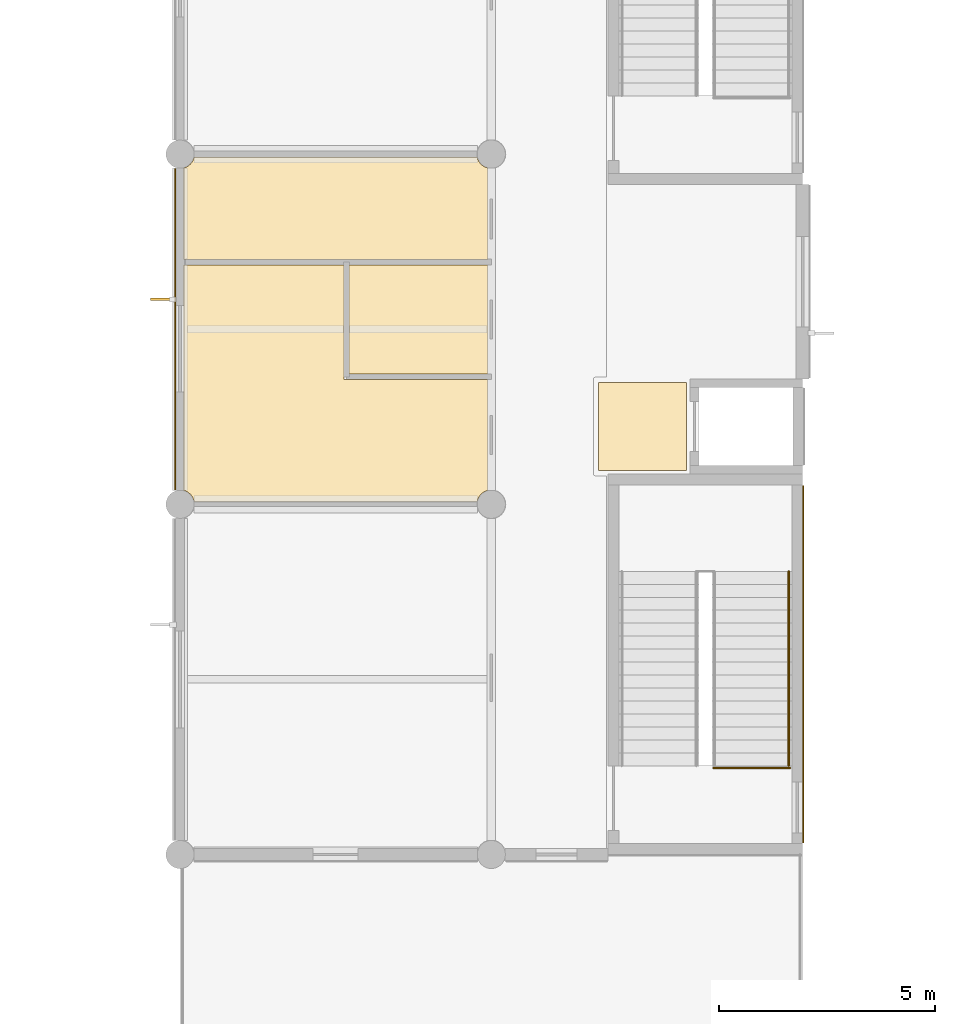
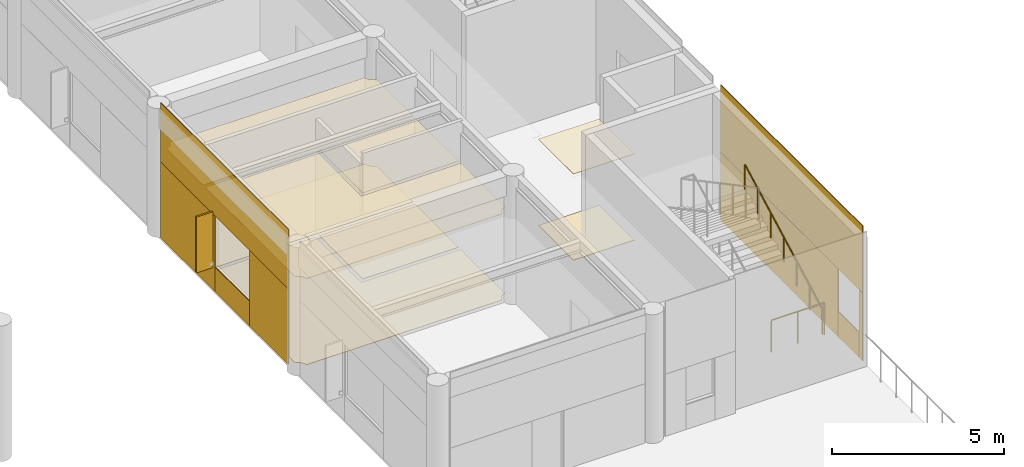
# One storey, part 89 of 92: 16 coverings, 2 railings, 1 shading device.
"""IFC4 building model written with IfcOpenShell, lengths in metres."""

import ifcopenshell
import ifcopenshell.guid

model = None  # the IFC model being written
_history = None  # IfcOwnerHistory: only IFC2X3 demands one
_inside = {}  # id of a spatial element -> (the spatial element, [elements in it])
_under = {}  # id of a project, library or spatial element -> (it, [spatial elements below it])
_declared = {}  # id of a project -> (the project, [libraries it declares])
_typed = {}  # id of a type object -> (the type object, [elements of that type])
_made_of = {}  # id of a material, layer set ... -> (it, [elements and type objects made of it])


def new_model(schema):
    """Start an empty IFC model of exactly this schema.

    Asked for "IFC4X3", IfcOpenShell would pick the latest addendum, in which some entities
    have other attributes; the version numbers below select the first issue.
    IFC2X3 requires an IfcOwnerHistory on every rooted entity: one is made here for all.
    """
    global model, _history
    if schema == "IFC4X3":
        model = ifcopenshell.file(schema_version=(4, 3, 0, 0))
    else:
        model = ifcopenshell.file(schema=schema)
    _inside.clear()
    _under.clear()
    _declared.clear()
    _typed.clear()
    _made_of.clear()
    _history = None
    if model.schema == "IFC2X3":
        org = make("IfcOrganization", Name="unknown")
        user = make(
            "IfcPersonAndOrganization",
            ThePerson=make("IfcPerson", FamilyName="unknown"),
            TheOrganization=org,
        )
        app = make(
            "IfcApplication",
            ApplicationDeveloper=org,
            Version="unknown",
            ApplicationFullName="unknown",
            ApplicationIdentifier="unknown",
        )
        _history = make(
            "IfcOwnerHistory",
            OwningUser=user,
            OwningApplication=app,
            ChangeAction="ADDED",
            CreationDate=0,
        )
    return model


def make(cls, **values):
    """One entity of the class cls with the attributes given. An attribute that is None is left unset."""
    return model.create_entity(
        cls, **{name: value for name, value in values.items() if value is not None}
    )


def rooted(cls, **values):
    """An entity with a GlobalId (a new one), such as an element, a storey or a relation."""
    return make(cls, GlobalId=ifcopenshell.guid.new(), OwnerHistory=_history, **values)


def si_unit(unit_type, name, prefix=None):
    """IfcSIUnit, for example si_unit("LENGTHUNIT", "METRE", prefix="MILLI")."""
    return make("IfcSIUnit", UnitType=unit_type, Prefix=prefix, Name=name)


def assignment(units):
    """IfcUnitAssignment: the units of a project."""
    return None if units is None else make("IfcUnitAssignment", Units=units)


def point(xyz):
    """IfcCartesianPoint."""
    return None if xyz is None else make("IfcCartesianPoint", Coordinates=xyz)


def direction(xyz):
    """IfcDirection."""
    return None if xyz is None else make("IfcDirection", DirectionRatios=xyz)


def frame(location, z_axis=None, x_axis=None):
    """IfcAxis2Placement3D, a coordinate frame: its origin and axes. An axis left out is left unset."""
    return make(
        "IfcAxis2Placement3D",
        Location=point(location),
        Axis=direction(z_axis),
        RefDirection=direction(x_axis),
    )


def frame_2d(location, x_axis=None):
    """IfcAxis2Placement2D, a coordinate frame in the plane: its origin and x axis."""
    return make(
        "IfcAxis2Placement2D", Location=point(location), RefDirection=direction(x_axis)
    )


def origin():
    """The frame at (0, 0, 0) with its axes left unset."""
    return frame((0.0, 0.0, 0.0))


def origin_2d():
    """The frame at (0, 0) in the plane with its x axis left unset."""
    return frame_2d((0.0, 0.0))


def place(relative_to, where):
    """IfcLocalPlacement: puts the frame where relative to a parent placement (None: the world)."""
    return make(
        "IfcLocalPlacement", PlacementRelTo=relative_to, RelativePlacement=where
    )


def context(
    kind, dimensions, precision=None, world=None, true_north=None, identifier=None
):
    """IfcGeometricRepresentationContext, for example the 3D "Model" context."""
    return make(
        "IfcGeometricRepresentationContext",
        ContextIdentifier=identifier,
        ContextType=kind,
        CoordinateSpaceDimension=dimensions,
        Precision=precision,
        WorldCoordinateSystem=world,
        TrueNorth=true_north,
    )


def subcontext(parent, identifier, kind, view, scale=None):
    """IfcGeometricRepresentationSubContext, for example "Body" below "Model"."""
    return make(
        "IfcGeometricRepresentationSubContext",
        ContextIdentifier=identifier,
        ContextType=kind,
        ParentContext=parent,
        TargetScale=scale,
        TargetView=view,
    )


def project(units=None, contexts=None):
    """IfcProject with its units and contexts."""
    return rooted(
        "IfcProject",
        Name="project",
        RepresentationContexts=contexts,
        UnitsInContext=assignment(units),
    )


def spatial(cls, under=None, at=None, **own):
    """A site, building, storey or space (cls), placed at a placement, below another one or the project."""
    s = rooted(cls, ObjectPlacement=at, **own)
    if under is not None:
        _under.setdefault(under.id(), (under, []))[1].append(s)
    return s


def polyline(points):
    """IfcPolyline through the points."""
    return make("IfcPolyline", Points=[point(p) for p in points])


def profile(cls, at=None, kind="AREA", **sizes):
    """A parametric profile (cls). Its sizes go by their IFC names, for example OverallWidth=200.0."""
    return make(cls, ProfileType=kind, Position=at, **sizes)


def rectangle(**sizes):
    """IfcRectangleProfileDef."""
    return profile("IfcRectangleProfileDef", **sizes)


def circle(**sizes):
    """IfcCircleProfileDef."""
    return profile("IfcCircleProfileDef", **sizes)


def outline(outer, holes=None, kind="AREA"):
    """IfcArbitraryClosedProfileDef: a profile drawn as a closed curve; with holes, ...WithVoids."""
    if holes is None:
        return make("IfcArbitraryClosedProfileDef", ProfileType=kind, OuterCurve=outer)
    return make(
        "IfcArbitraryProfileDefWithVoids",
        ProfileType=kind,
        OuterCurve=outer,
        InnerCurves=holes,
    )


def extrude(swept, where, along, depth):
    """IfcExtrudedAreaSolid: the profile swept, set in the frame where, extruded along a direction by depth."""
    return make(
        "IfcExtrudedAreaSolid",
        SweptArea=swept,
        Position=where,
        ExtrudedDirection=direction(along),
        Depth=depth,
    )


def shape(context_of_items, identifier, shape_type, items):
    """IfcShapeRepresentation: the items that make up one representation, for example the "Body"."""
    return make(
        "IfcShapeRepresentation",
        ContextOfItems=context_of_items,
        RepresentationIdentifier=identifier,
        RepresentationType=shape_type,
        Items=items,
    )


def material(Name=None, Category=None):
    """IfcMaterial."""
    return make("IfcMaterial", Name=Name, Category=Category)


def layer(
    of_material, thickness, ventilated=None, Name=None, Category=None, Priority=None
):
    """IfcMaterialLayer: one layer of a wall or slab, of a material (None: an air gap)."""
    return make(
        "IfcMaterialLayer",
        Material=of_material,
        LayerThickness=thickness,
        IsVentilated=ventilated,
        Name=Name,
        Category=Category,
        Priority=Priority,
    )


def layer_set(layers, Name=None):
    """IfcMaterialLayerSet."""
    return make("IfcMaterialLayerSet", MaterialLayers=layers, LayerSetName=Name)


def made_of(thing, what):
    """Note that an element or type object is made of a material, layer set ...; save() writes the relation."""
    if what is not None:
        _made_of.setdefault(what.id(), (what, []))[1].append(thing)
    return thing


def type_object(cls, material=None, **own):
    """A type object (cls), such as IfcWallType, which elements share."""
    return made_of(rooted(cls, **own), material)


def element(
    cls,
    number,
    at=None,
    inside=None,
    cuts=None,
    type_object=None,
    material=None,
    context=None,
    identifier="Body",
    shape_type=None,
    held_by="IfcProductDefinitionShape",
    body=None,
    shapes=None,
    **own,
):
    """One element of the class cls, such as IfcWall. Its Tag is "e" and its number.

    at: its placement. inside: the storey or other place that contains it. cuts: it is an
    opening in that element (IfcRelVoidsElement). A single representation is given by context,
    identifier, shape_type and body (its items); several are given by shapes. held_by: the class
    of the entity that holds the representations. save() writes the other relations.
    """
    e = rooted(cls, Tag="e%d" % number, ObjectPlacement=at, **own)
    if body is not None:
        shapes = [shape(context, identifier, shape_type, body)]
    if shapes is not None:
        e.Representation = make(held_by, Representations=shapes)
    if inside is not None:
        _inside.setdefault(inside.id(), (inside, []))[1].append(e)
    if cuts is not None:
        rooted(
            "IfcRelVoidsElement", RelatingBuildingElement=cuts, RelatedOpeningElement=e
        )
    if type_object is not None:
        _typed.setdefault(type_object.id(), (type_object, []))[1].append(e)
    return made_of(e, material)


def aggregate(whole, parts):
    """IfcRelAggregates: a whole, such as a stair, and the parts it consists of."""
    return rooted("IfcRelAggregates", RelatingObject=whole, RelatedObjects=parts)


def save(model, path):
    """Write the relations noted so far, then the file.

    IfcRelAggregates (storeys below a building ...), IfcRelContainedInSpatialStructure (elements
    in a storey), IfcRelDefinesByType, IfcRelAssociatesMaterial and IfcRelDeclares: one each for
    every whole, place, type object, material and project.
    """
    for whole, parts in _under.values():
        aggregate(whole, parts)
    for where, things in _inside.values():
        rooted(
            "IfcRelContainedInSpatialStructure",
            RelatedElements=things,
            RelatingStructure=where,
        )
    for kind, things in _typed.values():
        rooted("IfcRelDefinesByType", RelatedObjects=things, RelatingType=kind)
    for what, things in _made_of.values():
        rooted("IfcRelAssociatesMaterial", RelatedObjects=things, RelatingMaterial=what)
    for by, libraries in _declared.values():
        rooted("IfcRelDeclares", RelatingContext=by, RelatedDefinitions=libraries)
    model.write(path)


model = new_model("IFC4")

# Units and contexts
model_context = context("Model", 3, precision=1e-05, world=origin(), true_north=direction((0.0, 1.0)))
body_context = subcontext(model_context, "Body", "Model", "MODEL_VIEW")
ifc_project = project(units=[si_unit("LENGTHUNIT", "METRE"), si_unit("AREAUNIT", "SQUARE_METRE"), si_unit("VOLUMEUNIT", "CUBIC_METRE"), si_unit("PLANEANGLEUNIT", "RADIAN"), si_unit("MASSUNIT", "GRAM", prefix="KILO")], contexts=[model_context])

# Site, building, storey
site_placement = place(None, origin())
site = spatial("IfcSite", under=ifc_project, at=site_placement, CompositionType="ELEMENT")
building_placement = place(site_placement, origin())
building = spatial("IfcBuilding", under=site, at=building_placement, Name="Namkhue Oval Health Centre", CompositionType="ELEMENT")
storey_placement = place(building_placement, frame((0.0, 0.0, 4.800048828125)))
storey = spatial("IfcBuildingStorey", under=building, at=storey_placement, Name="L01", CompositionType="ELEMENT", Elevation=4.800048828125)

# Coverings
ifc_material_1 = material(Name="Acoustic mineral-fibre cleanroom ceiling", Category="gypsum")
ifc_layer_1 = layer(ifc_material_1, 0.02001953125)
ifc_layer_set_1 = layer_set([ifc_layer_1], Name="Acoustic mineral-fibre cleanroom ceiling")
covering_type_1 = type_object("IfcCoveringType", Name="ACOUSTIC CLEANROOM CEILING 20", PredefinedType="CEILING", material=ifc_layer_set_1)
covering_1_placement = place(storey_placement, frame((0.0, 0.0, 3.050048828125)))
element("IfcCovering", 1, at=covering_1_placement, inside=storey, type_object=covering_type_1, Name="Acoustic Ceiling L01-LL7 Lift Lobby LF-07", PredefinedType="CEILING", context=body_context, shape_type="SweptSolid", body=[
    extrude(outline(polyline([(146.47998046875, 52.080078125), (146.47998046875, 54.1201171875), (148.52001953125, 54.1201171875), (148.52001953125, 52.080078125), (146.47998046875, 52.080078125)])), origin(), (0.0, 0.0, 1.0), 0.02001953125),
])
covering_2_placement = place(storey_placement, frame((0.0, 0.0, 3.050048828125)))
element("IfcCovering", 2, at=covering_2_placement, inside=storey, type_object=covering_type_1, Name="Acoustic Ceiling L01-602 Rehab Splint Preparation Utility", PredefinedType="CEILING", context=body_context, shape_type="SweptSolid", body=[
    extrude(outline(polyline([(136.885009765625, 56.840087890625), (140.590087890625, 56.840087890625), (140.590087890625, 54.18994140625), (143.919921875, 54.18994140625), (143.919921875, 51.62451171875), (143.83251953125, 51.590087890625), (143.76318359375, 51.536865234375), (143.7099609375, 51.467529296875), (143.676513671875, 51.38671875), (143.67431640625, 51.3701171875), (137.125732421875, 51.3701171875), (137.12353515625, 51.38671875), (137.090087890625, 51.467529296875), (137.036865234375, 51.536865234375), (136.967529296875, 51.590087890625), (136.885009765625, 51.623779296875), (136.885009765625, 56.840087890625)])), origin(), (0.0, 0.0, 1.0), 0.02001953125),
])
covering_3_placement = place(storey_placement, frame((0.0, 0.0, 3.050048828125)))
element("IfcCovering", 3, at=covering_3_placement, inside=storey, type_object=covering_type_1, Name="Acoustic Ceiling L01-603 Accessible WC", PredefinedType="CEILING", context=body_context, shape_type="SweptSolid", body=[
    extrude(outline(polyline([(140.7099609375, 54.31005859375), (140.7099609375, 56.840087890625), (143.919921875, 56.840087890625), (143.919921875, 54.31005859375), (140.7099609375, 54.31005859375)])), origin(), (0.0, 0.0, 1.0), 0.02001953125),
])
covering_4_placement = place(storey_placement, frame((0.0, 0.0, 3.050048828125)))
element("IfcCovering", 4, at=covering_4_placement, inside=storey, type_object=covering_type_1, Name="Acoustic Ceiling L01-604 Patient Washroom", PredefinedType="CEILING", context=body_context, shape_type="SweptSolid", body=[
    extrude(outline(polyline([(136.885009765625, 56.9599609375), (136.885009765625, 59.076171875), (136.967529296875, 59.10986328125), (137.036865234375, 59.1630859375), (137.090087890625, 59.232421875), (137.12353515625, 59.313232421875), (137.125732421875, 59.330078125), (143.67431640625, 59.330078125), (143.676513671875, 59.313232421875), (143.7099609375, 59.232421875), (143.76318359375, 59.1630859375), (143.83251953125, 59.10986328125), (143.919921875, 59.075439453125), (143.919921875, 56.9599609375), (136.885009765625, 56.9599609375)])), origin(), (0.0, 0.0, 1.0), 0.02001953125),
])
ifc_material_2 = material(Name="Homogeneous anti-bacterial clinical vinyl flooring", Category="plastic")
ifc_layer_2 = layer(ifc_material_2, 0.014892578125)
ifc_layer_set_2 = layer_set([ifc_layer_2], Name="Homogeneous anti-bacterial clinical vinyl flooring")
covering_type_2 = type_object("IfcCoveringType", Name="CLINICAL ANTIBACTERIAL VINYL FLOORING 15", PredefinedType="FLOORING", material=ifc_layer_set_2)
covering_5_placement = place(storey_placement, origin())
element("IfcCovering", 5, at=covering_5_placement, inside=storey, type_object=covering_type_2, Name="Clinical Flooring L01-LL7 Lift Lobby LF-07", PredefinedType="FLOORING", context=body_context, shape_type="SweptSolid", body=[
    extrude(outline(polyline([(146.47998046875, 52.080078125), (146.47998046875, 54.1201171875), (148.52001953125, 54.1201171875), (148.52001953125, 52.080078125), (146.47998046875, 52.080078125)])), origin(), (0.0, 0.0, 1.0), 0.014892578125),
])
covering_6_placement = place(storey_placement, origin())
element("IfcCovering", 6, at=covering_6_placement, inside=storey, type_object=covering_type_2, Name="Clinical Flooring L01-602 Rehab Splint Preparation Utility", PredefinedType="FLOORING", context=body_context, shape_type="SweptSolid", body=[
    extrude(outline(polyline([(136.885009765625, 56.840087890625), (140.590087890625, 56.840087890625), (140.590087890625, 54.18994140625), (143.919921875, 54.18994140625), (143.919921875, 51.62451171875), (143.83251953125, 51.590087890625), (143.76318359375, 51.536865234375), (143.7099609375, 51.467529296875), (143.676513671875, 51.38671875), (143.67431640625, 51.3701171875), (137.125732421875, 51.3701171875), (137.12353515625, 51.38671875), (137.090087890625, 51.467529296875), (137.036865234375, 51.536865234375), (136.967529296875, 51.590087890625), (136.885009765625, 51.623779296875), (136.885009765625, 56.840087890625)])), origin(), (0.0, 0.0, 1.0), 0.014892578125),
])
covering_7_placement = place(storey_placement, origin())
element("IfcCovering", 7, at=covering_7_placement, inside=storey, type_object=covering_type_2, Name="Clinical Flooring L01-603 Accessible WC", PredefinedType="FLOORING", context=body_context, shape_type="SweptSolid", body=[
    extrude(outline(polyline([(140.7099609375, 54.31005859375), (140.7099609375, 56.840087890625), (143.919921875, 56.840087890625), (143.919921875, 54.31005859375), (140.7099609375, 54.31005859375)])), origin(), (0.0, 0.0, 1.0), 0.014892578125),
])
covering_8_placement = place(storey_placement, origin())
element("IfcCovering", 8, at=covering_8_placement, inside=storey, type_object=covering_type_2, Name="Clinical Flooring L01-604 Patient Washroom", PredefinedType="FLOORING", context=body_context, shape_type="SweptSolid", body=[
    extrude(outline(polyline([(136.885009765625, 56.9599609375), (136.885009765625, 59.076171875), (136.967529296875, 59.10986328125), (137.036865234375, 59.1630859375), (137.090087890625, 59.232421875), (137.12353515625, 59.313232421875), (137.125732421875, 59.330078125), (143.67431640625, 59.330078125), (143.676513671875, 59.313232421875), (143.7099609375, 59.232421875), (143.76318359375, 59.1630859375), (143.83251953125, 59.10986328125), (143.919921875, 59.075439453125), (143.919921875, 56.9599609375), (136.885009765625, 56.9599609375)])), origin(), (0.0, 0.0, 1.0), 0.014892578125),
])

# Railings
ifc_material_3 = material(Name="Brushed stainless steel 316L balustrade with laminated glass infill", Category="steel")
railing_type_1 = type_object("IfcRailingType", Name="INTERIOR BALUSTRADE GUARD 1150", PredefinedType="BALUSTRADE", material=ifc_material_3)
railing_1_placement = place(storey_placement, frame((149.139892578125, 45.199951171875, 0.0)))
element("IfcRailing", 9, at=railing_1_placement, inside=storey, type_object=railing_type_1, Name="Stair ST-11 L01 Landing Well Edge Guard", PredefinedType="BALUSTRADE", context=body_context, shape_type="SweptSolid", body=[
    extrude(circle(Radius=0.02392578125, at=origin_2d()), frame((0.0, 0.0, 1.1259765625), z_axis=(1.0, 0.0, 0.0), x_axis=(0.0, 1.0, 0.0)), (0.0, 0.0, 1.0), 1.77001953125),
    extrude(circle(Radius=0.02099609375, at=origin_2d()), origin(), (0.0, 0.0, 1.0), 1.101806640625),
    extrude(circle(Radius=0.02099609375, at=origin_2d()), frame((0.885009765625, 0.0, 0.0)), (0.0, 0.0, 1.0), 1.101806640625),
    extrude(circle(Radius=0.02099609375, at=origin_2d()), frame((1.77001953125, 0.0, 0.0)), (0.0, 0.0, 1.0), 1.101806640625),
])
ifc_material_4 = material(Name="Brushed stainless steel 304 tubular handrail", Category="steel")
railing_type_2 = type_object("IfcRailingType", Name="INTERIOR STAIR HANDRAIL 900", PredefinedType="HANDRAIL", material=ifc_material_4)
railing_2_placement = place(storey_placement, frame((150.8798828125, 45.25, 0.0)))
element("IfcRailing", 10, at=railing_2_placement, inside=storey, type_object=railing_type_2, Name="Stair ST-11 L01 Flight 1 Handrail", PredefinedType="HANDRAIL", context=body_context, shape_type="SweptSolid", body=[
    extrude(circle(Radius=0.02392578125, at=origin_2d()), frame((0.0, 0.0, 0.8759765625), z_axis=(0.0, 0.882360891967, 0.470573327259), x_axis=(-1.0, 0.0, 0.0)), (0.0, 0.0, 1.0), 5.099853515625),
    extrude(circle(Radius=0.02099609375, at=origin_2d()), origin(), (0.0, 0.0, 1.0), 0.851806640625),
    extrude(circle(Radius=0.02099609375, at=origin_2d()), frame((0.0, 0.75, 0.39990234375)), (0.0, 0.0, 1.0), 0.851806640625),
    extrude(circle(Radius=0.02099609375, at=origin_2d()), frame((0.0, 1.5, 0.800048828125)), (0.0, 0.0, 1.0), 0.851806640625),
    extrude(circle(Radius=0.02099609375, at=origin_2d()), frame((0.0, 2.25, 1.199951171875)), (0.0, 0.0, 1.0), 0.851806640625),
    extrude(circle(Radius=0.02099609375, at=origin_2d()), frame((0.0, 3.0, 1.599853515625)), (0.0, 0.0, 1.0), 0.851806640625),
    extrude(circle(Radius=0.02099609375, at=origin_2d()), frame((0.0, 3.75, 2.0)), (0.0, 0.0, 1.0), 0.851806640625),
    extrude(circle(Radius=0.02099609375, at=origin_2d()), frame((0.0, 4.5, 2.39990234375)), (0.0, 0.0, 1.0), 0.851806640625),
])

# Shading device
ifc_material_5 = material(Name="Anodised aluminium EN AW-6063 T6", Category="aluminium")
shading_device_type = type_object("IfcShadingDeviceType", Name="VERTICAL SOLAR FIN 600", PredefinedType="USERDEFINED", material=ifc_material_5)
shading_device_placement = place(storey_placement, frame((136.419921875, 56.0400390625, 0.800048828125), z_axis=(0.0, 0.0, 1.0), x_axis=(-1.0, 0.0, 0.0)))
element("IfcShadingDevice", 11, at=shading_device_placement, inside=storey, type_object=shading_device_type, Name="Volume V6 L01 Window Solar Fin 310", ObjectType="SOLAR FIN", PredefinedType="USERDEFINED", context=body_context, shape_type="SweptSolid", body=[
    extrude(rectangle(XDim=0.60009765625, YDim=0.06005859375, at=origin_2d()), origin(), (0.0, 0.0, 1.0), 1.97998046875),
])

# Coverings
ifc_material_6 = material(Name="White glass-fibre reinforced concrete GRC rainscreen cladding", Category="concrete")
ifc_layer_3 = layer(ifc_material_6, 0.02490234375)
ifc_layer_set_3 = layer_set([ifc_layer_3], Name="White glass-fibre reinforced concrete GRC rainscreen cladding")
covering_type_3 = type_object("IfcCoveringType", Name="WHITE GRC RAINSCREEN CLADDING 25", PredefinedType="CLADDING", material=ifc_layer_set_3)
covering_9_placement = place(storey_placement, frame((136.68798828125, 55.35009765625, 2.69482421875), z_axis=(0.0, 0.0, 1.0), x_axis=(0.0, -1.0, 0.0)))
element("IfcCovering", 12, at=covering_9_placement, inside=storey, type_object=covering_type_3, Name="Volume V6 L01 Facade 179 White GRC Cladding 1", PredefinedType="CLADDING", context=body_context, shape_type="SweptSolid", body=[
    extrude(rectangle(XDim=7.419921875, YDim=0.02490234375, at=origin_2d()), origin(), (0.0, 0.0, 1.0), 2.094970703125),
])
covering_10_placement = place(storey_placement, frame((136.68798828125, 57.487548828125, 0.009765625), z_axis=(0.0, 0.0, 1.0), x_axis=(0.0, -1.0, 0.0)))
element("IfcCovering", 13, at=covering_10_placement, inside=storey, type_object=covering_type_3, Name="Volume V6 L01 Facade 179 White GRC Cladding 2", PredefinedType="CLADDING", context=body_context, shape_type="SweptSolid", body=[
    extrude(rectangle(XDim=3.14501953125, YDim=0.02490234375, at=origin_2d()), origin(), (0.0, 0.0, 1.0), 2.679931640625),
])
covering_11_placement = place(storey_placement, frame((136.68798828125, 54.89990234375, 0.010009765625), z_axis=(0.0, 0.0, 1.0), x_axis=(0.0, -1.0, 0.0)))
element("IfcCovering", 14, at=covering_11_placement, inside=storey, type_object=covering_type_3, Name="Volume V6 L01 Facade 179 White GRC Cladding 3", PredefinedType="CLADDING", context=body_context, shape_type="SweptSolid", body=[
    extrude(rectangle(XDim=2.02001953125, YDim=0.02490234375, at=origin_2d()), origin(), (0.0, 0.0, 1.0), 0.875),
])
covering_12_placement = place(storey_placement, frame((136.68798828125, 52.762451171875, 0.009765625), z_axis=(0.0, 0.0, 1.0), x_axis=(0.0, -1.0, 0.0)))
element("IfcCovering", 15, at=covering_12_placement, inside=storey, type_object=covering_type_3, Name="Volume V6 L01 Facade 179 White GRC Cladding 4", PredefinedType="CLADDING", context=body_context, shape_type="SweptSolid", body=[
    extrude(rectangle(XDim=2.2451171875, YDim=0.02490234375, at=origin_2d()), origin(), (0.0, 0.0, 1.0), 2.679931640625),
])
covering_13_placement = place(storey_placement, frame((151.2119140625, 47.60009765625, 2.4150390625), z_axis=(0.0, 0.0, 1.0), x_axis=(0.0, 1.0, 0.0)))
element("IfcCovering", 16, at=covering_13_placement, inside=storey, type_object=covering_type_3, Name="Core SC-11 L01 Core E White GRC Cladding 1", PredefinedType="CLADDING", context=body_context, shape_type="SweptSolid", body=[
    extrude(rectangle(XDim=8.260009765625, YDim=0.02490234375, at=origin_2d()), origin(), (0.0, 0.0, 1.0), 2.375),
])
covering_14_placement = place(storey_placement, frame((151.2119140625, 43.577392578125, 0.010009765625), z_axis=(0.0, 0.0, 1.0), x_axis=(0.0, 1.0, 0.0)))
element("IfcCovering", 17, at=covering_14_placement, inside=storey, type_object=covering_type_3, Name="Core SC-11 L01 Core E White GRC Cladding 2", PredefinedType="CLADDING", context=body_context, shape_type="SweptSolid", body=[
    extrude(rectangle(XDim=0.215087890625, YDim=0.02490234375, at=origin_2d()), origin(), (0.0, 0.0, 1.0), 2.39990234375),
])
covering_15_placement = place(storey_placement, frame((151.2119140625, 44.2900390625, 0.010009765625), z_axis=(0.0, 0.0, 1.0), x_axis=(0.0, 1.0, 0.0)))
element("IfcCovering", 18, at=covering_15_placement, inside=storey, type_object=covering_type_3, Name="Core SC-11 L01 Core E White GRC Cladding 3", PredefinedType="CLADDING", context=body_context, shape_type="SweptSolid", body=[
    extrude(rectangle(XDim=1.199951171875, YDim=0.02490234375, at=origin_2d()), origin(), (0.0, 0.0, 1.0), 0.89501953125),
])
covering_16_placement = place(storey_placement, frame((151.2119140625, 48.3125, 0.010009765625), z_axis=(0.0, 0.0, 1.0), x_axis=(0.0, 1.0, 0.0)))
element("IfcCovering", 19, at=covering_16_placement, inside=storey, type_object=covering_type_3, Name="Core SC-11 L01 Core E White GRC Cladding 4", PredefinedType="CLADDING", context=body_context, shape_type="SweptSolid", body=[
    extrude(rectangle(XDim=6.8349609375, YDim=0.02490234375, at=origin_2d()), origin(), (0.0, 0.0, 1.0), 2.39990234375),
])

save(model, "model.ifc")
